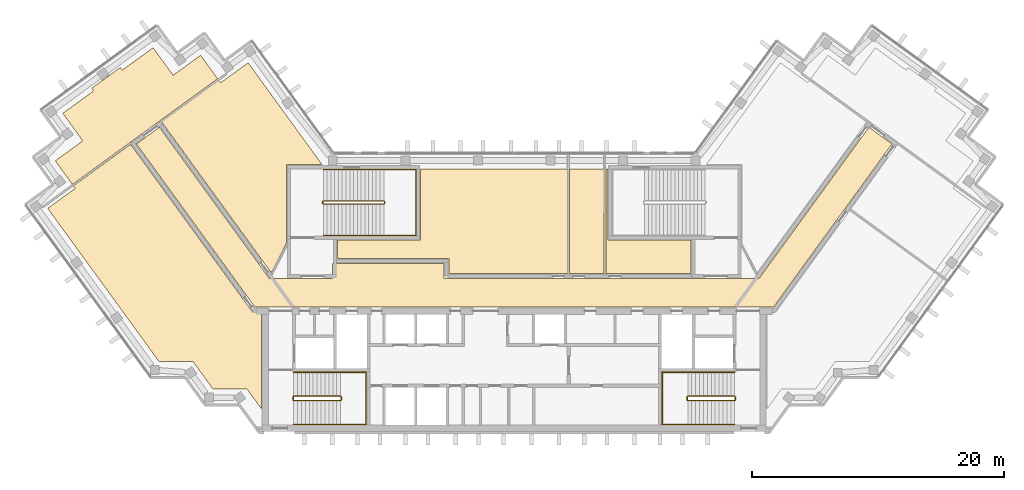
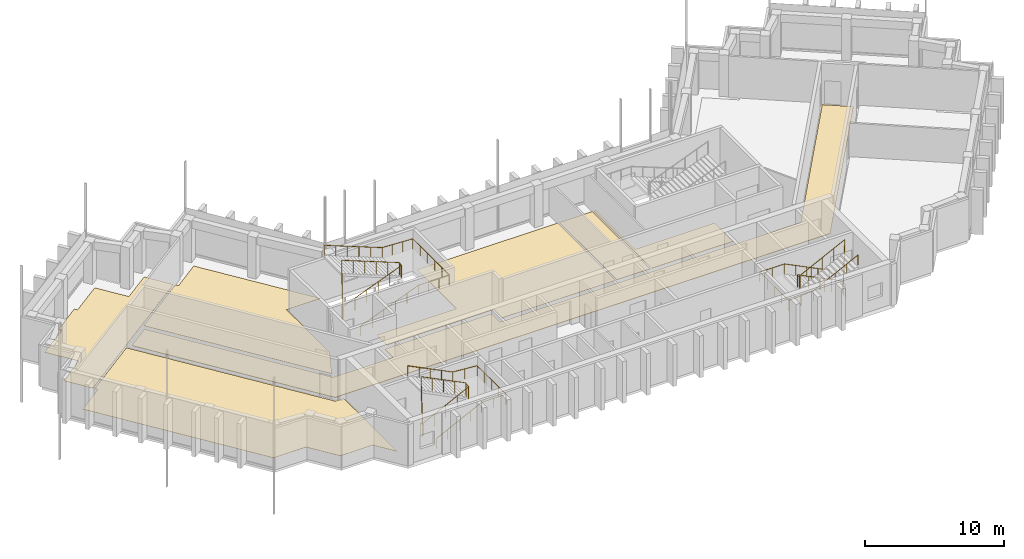
# One storey, part 12 of 13: 7 coverings, 6 railings.
"""IFC4 building model written with IfcOpenShell, lengths in metres."""

from ifc_helpers import new_model, si_unit, direction, frame, origin, origin_2d, place, context, subcontext, project, spatial, polyline, circle, outline, extrude, material, layer, layer_set, type_object, element, save


model = new_model("IFC4")

# Units and contexts
model_context = context("Model", 3, precision=1e-05, world=origin(), true_north=direction((0.0, 1.0)))
body_context = subcontext(model_context, "Body", "Model", "MODEL_VIEW")
ifc_project = project(units=[si_unit("LENGTHUNIT", "METRE"), si_unit("AREAUNIT", "SQUARE_METRE"), si_unit("VOLUMEUNIT", "CUBIC_METRE"), si_unit("PLANEANGLEUNIT", "RADIAN"), si_unit("MASSUNIT", "GRAM", prefix="KILO")], contexts=[model_context])

# Site, building, storey
site_placement = place(None, origin())
site = spatial("IfcSite", under=ifc_project, at=site_placement, CompositionType="ELEMENT")
building_placement = place(site_placement, origin())
building = spatial("IfcBuilding", under=site, at=building_placement, Name="Quipu Civic Tower", CompositionType="ELEMENT")
storey_placement = place(building_placement, frame((0.0, 0.0, 347.0)))
storey = spatial("IfcBuildingStorey", under=building, at=storey_placement, Name="L81", CompositionType="ELEMENT", Elevation=347.0)

# Coverings
ifc_material_1 = material(Name="Carpet tile on raised access floor")
ifc_layer_1 = layer(ifc_material_1, 0.02001953125)
ifc_layer_set_1 = layer_set([ifc_layer_1], Name="Carpet tile on raised access floor")
covering_type_1 = type_object("IfcCoveringType", Name="Carpet tile floor finish 20", PredefinedType="FLOORING", material=ifc_layer_set_1)
covering_1_placement = place(storey_placement, origin())
element("IfcCovering", 1, at=covering_1_placement, inside=storey, type_object=covering_type_1, Name="Carpet tile floor finish 20", PredefinedType="FLOORING", context=body_context, shape_type="SweptSolid", body=[
    extrude(outline(polyline([(-27.987060546875, 13.5791015625), (-23.447998046875, 16.876953125), (-23.299072265625, 16.676025390625), (-21.115966796875, 18.260986328125), (-15.238037109375, 10.169921875), (-18.070068359375, 10.1689453125), (-18.070068359375, 3.94189453125), (-19.27197265625, 1.583984375), (-27.987060546875, 13.5791015625)])), origin(), (0.0, 0.0, 1.0), 0.02001953125),
])
covering_2_placement = place(storey_placement, origin())
element("IfcCovering", 2, at=covering_2_placement, inside=storey, type_object=covering_type_1, Name="Carpet tile floor finish 20", PredefinedType="FLOORING", context=body_context, shape_type="SweptSolid", body=[
    extrude(outline(polyline([(-36.425048828125, 10.47705078125), (-34.240966796875, 12.06396484375), (-35.826904296875, 14.248046875), (-33.3701171875, 16.032958984375), (-33.52197265625, 16.2451171875), (-31.27099609375, 17.8798828125), (-31.116943359375, 17.6708984375), (-28.658935546875, 19.455078125), (-27.073974609375, 17.27197265625), (-24.888916015625, 18.85791015625), (-23.531005859375, 16.989013671875), (-35.068115234375, 8.60791015625), (-36.425048828125, 10.47705078125)])), origin(), (0.0, 0.0, 1.0), 0.02001953125),
])
covering_3_placement = place(storey_placement, origin())
element("IfcCovering", 3, at=covering_3_placement, inside=storey, type_object=covering_type_1, Name="Carpet tile floor finish 20", PredefinedType="FLOORING", context=body_context, shape_type="SweptSolid", body=[
    extrude(outline(polyline([(-14.030029296875, 2.719970703125), (-14.030029296875, 4.179931640625), (-7.430908203125, 4.180908203125), (-7.429931640625, 9.830078125), (4.2490234375, 9.830078125), (4.2490234375, 1.52001953125), (-5.179931640625, 1.52001953125), (-5.181884765625, 2.719970703125), (-14.030029296875, 2.719970703125)])), origin(), (0.0, 0.0, 1.0), 0.02001953125),
])
covering_4_placement = place(storey_placement, origin())
element("IfcCovering", 4, at=covering_4_placement, inside=storey, type_object=covering_type_1, Name="Carpet tile floor finish 20", PredefinedType="FLOORING", context=body_context, shape_type="SweptSolid", body=[
    extrude(outline(polyline([(-37.02197265625, 6.7060546875), (-34.839111328125, 8.291015625), (-34.985107421875, 8.493896484375), (-30.446044921875, 11.7919921875), (-20.77490234375, -1.51904296875), (-20.070068359375, -1.52001953125), (-20.070068359375, -9.195068359375), (-21.196044921875, -7.64599609375), (-23.89501953125, -7.64599609375), (-25.48193359375, -5.4619140625), (-28.181884765625, -5.4609375), (-37.02197265625, 6.7060546875)])), origin(), (0.0, 0.0, 1.0), 0.02001953125),
])
ifc_material_2 = material(Name="Ceramic floor tile")
ifc_layer_2 = layer(ifc_material_2, 0.030029296875)
ifc_layer_set_2 = layer_set([ifc_layer_2], Name="Ceramic floor tile")
covering_type_2 = type_object("IfcCoveringType", Name="Ceramic tile floor finish 30", PredefinedType="FLOORING", material=ifc_layer_set_2)
covering_5_placement = place(storey_placement, origin())
element("IfcCovering", 5, at=covering_5_placement, inside=storey, type_object=covering_type_2, Name="Ceramic tile floor finish 30", PredefinedType="FLOORING", context=body_context, shape_type="SweptSolid", body=[
    extrude(outline(polyline([(4.388916015625, 1.52001953125), (4.388916015625, 9.830078125), (7.1279296875, 9.830078125), (7.1279296875, 1.52001953125), (4.388916015625, 1.52001953125)])), origin(), (0.0, 0.0, 1.0), 0.030029296875),
])
covering_6_placement = place(storey_placement, origin())
element("IfcCovering", 6, at=covering_6_placement, inside=storey, type_object=covering_type_2, Name="Ceramic tile floor finish 30", PredefinedType="FLOORING", context=body_context, shape_type="SweptSolid", body=[
    extrude(outline(polyline([(7.26806640625, 1.52001953125), (7.26806640625, 9.830078125), (7.429931640625, 9.830078125), (7.429931640625, 4.180908203125), (14.030029296875, 4.179931640625), (14.030029296875, 1.52001953125), (7.26806640625, 1.52001953125)])), origin(), (0.0, 0.0, 1.0), 0.030029296875),
])

# Railings
ifc_material_3 = material(Name="Stainless steel", Category="steel")
railing_type_1 = type_object("IfcRailingType", Name="Stair guard 1100", PredefinedType="GUARDRAIL", material=ifc_material_3)
railing_1_placement = place(storey_placement, frame((-17.5, -8.550048828125, 0.15380859375)))
element("IfcRailing", 7, at=railing_1_placement, inside=storey, type_object=railing_type_1, Name="Stair 1 guard", PredefinedType="GUARDRAIL", context=body_context, shape_type="SweptSolid", body=[
    extrude(circle(Radius=0.02392578125, at=origin_2d()), frame((0.0, 0.0, 1.076171875), z_axis=(0.895751851347, 0.0, 0.444554407028), x_axis=(0.0, 1.0, 0.0)), (0.0, 0.0, 1.0), 4.15283203125),
    extrude(circle(Radius=0.02392578125, at=origin_2d()), frame((3.719970703125, 0.0, 2.92236328125), z_axis=(0.707106781187, 0.707106781187, 0.0), x_axis=(-0.707106781187, 0.707106781187, 0.0)), (0.0, 0.0, 1.0), 0.07080078125),
    extrude(circle(Radius=0.02392578125, at=origin_2d()), frame((3.77001953125, 0.050048828125, 2.92236328125), z_axis=(0.0, 1.0, 0.0), x_axis=(-1.0, 0.0, 0.0)), (0.0, 0.0, 1.0), 0.25),
    extrude(circle(Radius=0.02392578125, at=origin_2d()), frame((3.77001953125, 0.300048828125, 2.92236328125), z_axis=(-0.295599637079, 0.295599637079, 0.908428152975), x_axis=(-0.707106781187, -0.707106781187, 0.0)), (0.0, 0.0, 1.0), 0.16943359375),
    extrude(circle(Radius=0.02392578125, at=origin_2d()), frame((3.719970703125, 0.35009765625, 3.076171875), z_axis=(-0.895751851347, 0.0, 0.444554407028), x_axis=(0.0, -1.0, 0.0)), (0.0, 0.0, 1.0), 4.15283203125),
    extrude(circle(Radius=0.02392578125, at=origin_2d()), frame((0.0, 0.35009765625, 4.92236328125), z_axis=(-0.012476181752, -0.074796231092, -0.997120789425), x_axis=(0.986372223864, -0.164529134168, 0.0)), (0.0, 0.0, 1.0), 4.011474609375),
    extrude(circle(Radius=0.02392578125, at=origin_2d()), frame((-0.050048828125, 0.050048828125, 0.92236328125), z_axis=(0.0, 1.0, 0.0), x_axis=(-1.0, 0.0, 0.0)), (0.0, 0.0, 1.0), 0.25),
    extrude(circle(Radius=0.02099609375, at=origin_2d()), origin(), (0.0, 0.0, 1.0), 1.052001953125),
    extrude(circle(Radius=0.02099609375, at=origin_2d()), frame((0.929931640625, 0.0, 0.46142578125)), (0.0, 0.0, 1.0), 1.052001953125),
    extrude(circle(Radius=0.02099609375, at=origin_2d()), frame((1.85986328125, 0.0, 0.923095703125)), (0.0, 0.0, 1.0), 1.052001953125),
    extrude(circle(Radius=0.02099609375, at=origin_2d()), frame((2.7900390625, 0.0, 1.384765625)), (0.0, 0.0, 1.0), 1.052001953125),
    extrude(circle(Radius=0.02099609375, at=origin_2d()), frame((3.719970703125, 0.0, 1.84619140625)), (0.0, 0.0, 1.0), 1.052001953125),
    extrude(circle(Radius=0.02099609375, at=origin_2d()), frame((3.77001953125, 0.050048828125, 1.84619140625)), (0.0, 0.0, 1.0), 1.052001953125),
    extrude(circle(Radius=0.02099609375, at=origin_2d()), frame((3.77001953125, 0.300048828125, 1.84619140625)), (0.0, 0.0, 1.0), 1.052001953125),
    extrude(circle(Radius=0.02099609375, at=origin_2d()), frame((3.719970703125, 0.35009765625, 2.0)), (0.0, 0.0, 1.0), 1.052001953125),
    extrude(circle(Radius=0.02099609375, at=origin_2d()), frame((2.7900390625, 0.35009765625, 2.46142578125)), (0.0, 0.0, 1.0), 1.052001953125),
    extrude(circle(Radius=0.02099609375, at=origin_2d()), frame((1.85986328125, 0.35009765625, 2.923095703125)), (0.0, 0.0, 1.0), 1.052001953125),
    extrude(circle(Radius=0.02099609375, at=origin_2d()), frame((0.929931640625, 0.35009765625, 3.384765625)), (0.0, 0.0, 1.0), 1.052001953125),
    extrude(circle(Radius=0.02099609375, at=origin_2d()), frame((0.0, 0.35009765625, 3.84619140625)), (0.0, 0.0, 1.0), 1.052001953125),
    extrude(circle(Radius=0.02099609375, at=origin_2d()), frame((-0.012451171875, 0.275146484375, 2.84619140625)), (0.0, 0.0, 1.0), 1.052001953125),
    extrude(circle(Radius=0.02099609375, at=origin_2d()), frame((-0.02490234375, 0.2001953125, 1.84619140625)), (0.0, 0.0, 1.0), 1.052001953125),
    extrude(circle(Radius=0.02099609375, at=origin_2d()), frame((-0.03759765625, 0.125, 0.84619140625)), (0.0, 0.0, 1.0), 1.052001953125),
    extrude(circle(Radius=0.02099609375, at=origin_2d()), frame((-0.050048828125, 0.050048828125, -0.15380859375)), (0.0, 0.0, 1.0), 1.052001953125),
    extrude(circle(Radius=0.02099609375, at=origin_2d()), frame((-0.050048828125, 0.300048828125, -0.15380859375)), (0.0, 0.0, 1.0), 1.052001953125),
])
railing_2_placement = place(storey_placement, frame((17.5, -8.199951171875, 0.15380859375)))
element("IfcRailing", 8, at=railing_2_placement, inside=storey, type_object=railing_type_1, Name="Stair 2 guard", PredefinedType="GUARDRAIL", context=body_context, shape_type="SweptSolid", body=[
    extrude(circle(Radius=0.02392578125, at=origin_2d()), frame((0.0, 0.0, 1.076171875), z_axis=(-0.895751851347, 0.0, 0.444554407028), x_axis=(0.0, -1.0, 0.0)), (0.0, 0.0, 1.0), 4.15283203125),
    extrude(circle(Radius=0.02392578125, at=origin_2d()), frame((-3.719970703125, 0.0, 2.92236328125), z_axis=(-0.707106781187, -0.707106781187, 0.0), x_axis=(0.707106781187, -0.707106781187, 0.0)), (0.0, 0.0, 1.0), 0.07080078125),
    extrude(circle(Radius=0.02392578125, at=origin_2d()), frame((-3.77001953125, -0.050048828125, 2.92236328125), z_axis=(0.0, -1.0, 0.0), x_axis=(1.0, 0.0, 0.0)), (0.0, 0.0, 1.0), 0.25),
    extrude(circle(Radius=0.02392578125, at=origin_2d()), frame((-3.77001953125, -0.300048828125, 2.92236328125), z_axis=(0.295599637079, -0.295599637079, 0.908428152975), x_axis=(0.707106781187, 0.707106781187, 0.0)), (0.0, 0.0, 1.0), 0.16943359375),
    extrude(circle(Radius=0.02392578125, at=origin_2d()), frame((-3.719970703125, -0.35009765625, 3.076171875), z_axis=(0.895751851347, 0.0, 0.444554407028), x_axis=(0.0, 1.0, 0.0)), (0.0, 0.0, 1.0), 4.15283203125),
    extrude(circle(Radius=0.02392578125, at=origin_2d()), frame((0.0, -0.35009765625, 4.92236328125), z_axis=(0.012476181752, 0.074796231092, -0.997120789425), x_axis=(-0.986372223864, 0.164529134168, 0.0)), (0.0, 0.0, 1.0), 4.011474609375),
    extrude(circle(Radius=0.02392578125, at=origin_2d()), frame((0.050048828125, -0.050048828125, 0.92236328125), z_axis=(0.0, -1.0, 0.0), x_axis=(1.0, 0.0, 0.0)), (0.0, 0.0, 1.0), 0.25),
    extrude(circle(Radius=0.02099609375, at=origin_2d()), origin(), (0.0, 0.0, 1.0), 1.052001953125),
    extrude(circle(Radius=0.02099609375, at=origin_2d()), frame((-0.929931640625, 0.0, 0.46142578125)), (0.0, 0.0, 1.0), 1.052001953125),
    extrude(circle(Radius=0.02099609375, at=origin_2d()), frame((-1.85986328125, 0.0, 0.923095703125)), (0.0, 0.0, 1.0), 1.052001953125),
    extrude(circle(Radius=0.02099609375, at=origin_2d()), frame((-2.7900390625, 0.0, 1.384765625)), (0.0, 0.0, 1.0), 1.052001953125),
    extrude(circle(Radius=0.02099609375, at=origin_2d()), frame((-3.719970703125, 0.0, 1.84619140625)), (0.0, 0.0, 1.0), 1.052001953125),
    extrude(circle(Radius=0.02099609375, at=origin_2d()), frame((-3.77001953125, -0.050048828125, 1.84619140625)), (0.0, 0.0, 1.0), 1.052001953125),
    extrude(circle(Radius=0.02099609375, at=origin_2d()), frame((-3.77001953125, -0.300048828125, 1.84619140625)), (0.0, 0.0, 1.0), 1.052001953125),
    extrude(circle(Radius=0.02099609375, at=origin_2d()), frame((-3.719970703125, -0.35009765625, 2.0)), (0.0, 0.0, 1.0), 1.052001953125),
    extrude(circle(Radius=0.02099609375, at=origin_2d()), frame((-2.7900390625, -0.35009765625, 2.46142578125)), (0.0, 0.0, 1.0), 1.052001953125),
    extrude(circle(Radius=0.02099609375, at=origin_2d()), frame((-1.85986328125, -0.35009765625, 2.923095703125)), (0.0, 0.0, 1.0), 1.052001953125),
    extrude(circle(Radius=0.02099609375, at=origin_2d()), frame((-0.929931640625, -0.35009765625, 3.384765625)), (0.0, 0.0, 1.0), 1.052001953125),
    extrude(circle(Radius=0.02099609375, at=origin_2d()), frame((0.0, -0.35009765625, 3.84619140625)), (0.0, 0.0, 1.0), 1.052001953125),
    extrude(circle(Radius=0.02099609375, at=origin_2d()), frame((0.012451171875, -0.275146484375, 2.84619140625)), (0.0, 0.0, 1.0), 1.052001953125),
    extrude(circle(Radius=0.02099609375, at=origin_2d()), frame((0.02490234375, -0.2001953125, 1.84619140625)), (0.0, 0.0, 1.0), 1.052001953125),
    extrude(circle(Radius=0.02099609375, at=origin_2d()), frame((0.03759765625, -0.125, 0.84619140625)), (0.0, 0.0, 1.0), 1.052001953125),
    extrude(circle(Radius=0.02099609375, at=origin_2d()), frame((0.050048828125, -0.050048828125, -0.15380859375)), (0.0, 0.0, 1.0), 1.052001953125),
    extrude(circle(Radius=0.02099609375, at=origin_2d()), frame((0.050048828125, -0.300048828125, -0.15380859375)), (0.0, 0.0, 1.0), 1.052001953125),
])
railing_3_placement = place(storey_placement, frame((-15.14990234375, 7.050048828125, 0.11767578125)))
element("IfcRailing", 9, at=railing_3_placement, inside=storey, type_object=railing_type_1, Name="Stair 3 guard", PredefinedType="GUARDRAIL", context=body_context, shape_type="SweptSolid", body=[
    extrude(circle(Radius=0.02392578125, at=origin_2d()), frame((0.0, 0.0, 1.076171875), z_axis=(0.930970042603, 0.0, 0.365095576219), x_axis=(0.0, 1.0, 0.0)), (0.0, 0.0, 1.0), 5.15576171875),
    extrude(circle(Radius=0.02392578125, at=origin_2d()), frame((4.7998046875, 0.0, 2.95849609375), z_axis=(0.707106781187, 0.707106781187, 0.0), x_axis=(-0.707106781187, 0.707106781187, 0.0)), (0.0, 0.0, 1.0), 0.07080078125),
    extrude(circle(Radius=0.02392578125, at=origin_2d()), frame((4.849853515625, 0.050048828125, 2.95849609375), z_axis=(0.0, 1.0, 0.0), x_axis=(-1.0, 0.0, 0.0)), (0.0, 0.0, 1.0), 0.14990234375),
    extrude(circle(Radius=0.02392578125, at=origin_2d()), frame((4.849853515625, 0.199951171875, 2.95849609375), z_axis=(-0.364463019033, 0.364463019033, 0.856932561824), x_axis=(-0.707106781187, -0.707106781187, 0.0)), (0.0, 0.0, 1.0), 0.13720703125),
    extrude(circle(Radius=0.02392578125, at=origin_2d()), frame((4.7998046875, 0.25, 3.076171875), z_axis=(-0.930970042603, 0.0, 0.365095576219), x_axis=(0.0, -1.0, 0.0)), (0.0, 0.0, 1.0), 5.15576171875),
    extrude(circle(Radius=0.02392578125, at=origin_2d()), frame((0.0, 0.25, 4.95849609375), z_axis=(-0.012495627992, -0.049921557685, -0.998674970829), x_axis=(0.970072785993, -0.242814311512, 0.0)), (0.0, 0.0, 1.0), 4.00537109375),
    extrude(circle(Radius=0.02392578125, at=origin_2d()), frame((-0.050048828125, 0.050048828125, 0.95849609375), z_axis=(0.0, 1.0, 0.0), x_axis=(-1.0, 0.0, 0.0)), (0.0, 0.0, 1.0), 0.14990234375),
    extrude(circle(Radius=0.02099609375, at=origin_2d()), origin(), (0.0, 0.0, 1.0), 1.052001953125),
    extrude(circle(Radius=0.02099609375, at=origin_2d()), frame((0.9599609375, 0.0, 0.37646484375)), (0.0, 0.0, 1.0), 1.052001953125),
    extrude(circle(Radius=0.02099609375, at=origin_2d()), frame((1.919921875, 0.0, 0.7529296875)), (0.0, 0.0, 1.0), 1.052001953125),
    extrude(circle(Radius=0.02099609375, at=origin_2d()), frame((2.8798828125, 0.0, 1.12939453125)), (0.0, 0.0, 1.0), 1.052001953125),
    extrude(circle(Radius=0.02099609375, at=origin_2d()), frame((3.83984375, 0.0, 1.505859375)), (0.0, 0.0, 1.0), 1.052001953125),
    extrude(circle(Radius=0.02099609375, at=origin_2d()), frame((4.7998046875, 0.0, 1.88232421875)), (0.0, 0.0, 1.0), 1.052001953125),
    extrude(circle(Radius=0.02099609375, at=origin_2d()), frame((4.849853515625, 0.050048828125, 1.88232421875)), (0.0, 0.0, 1.0), 1.052001953125),
    extrude(circle(Radius=0.02099609375, at=origin_2d()), frame((4.849853515625, 0.199951171875, 1.88232421875)), (0.0, 0.0, 1.0), 1.052001953125),
    extrude(circle(Radius=0.02099609375, at=origin_2d()), frame((4.7998046875, 0.25, 2.0)), (0.0, 0.0, 1.0), 1.052001953125),
    extrude(circle(Radius=0.02099609375, at=origin_2d()), frame((3.83984375, 0.25, 2.37646484375)), (0.0, 0.0, 1.0), 1.052001953125),
    extrude(circle(Radius=0.02099609375, at=origin_2d()), frame((2.8798828125, 0.25, 2.7529296875)), (0.0, 0.0, 1.0), 1.052001953125),
    extrude(circle(Radius=0.02099609375, at=origin_2d()), frame((1.919921875, 0.25, 3.12939453125)), (0.0, 0.0, 1.0), 1.052001953125),
    extrude(circle(Radius=0.02099609375, at=origin_2d()), frame((0.9599609375, 0.25, 3.505859375)), (0.0, 0.0, 1.0), 1.052001953125),
    extrude(circle(Radius=0.02099609375, at=origin_2d()), frame((0.0, 0.25, 3.88232421875)), (0.0, 0.0, 1.0), 1.052001953125),
    extrude(circle(Radius=0.02099609375, at=origin_2d()), frame((-0.012451171875, 0.199951171875, 2.88232421875)), (0.0, 0.0, 1.0), 1.052001953125),
    extrude(circle(Radius=0.02099609375, at=origin_2d()), frame((-0.02490234375, 0.14990234375, 1.88232421875)), (0.0, 0.0, 1.0), 1.052001953125),
    extrude(circle(Radius=0.02099609375, at=origin_2d()), frame((-0.03759765625, 0.10009765625, 0.88232421875)), (0.0, 0.0, 1.0), 1.052001953125),
    extrude(circle(Radius=0.02099609375, at=origin_2d()), frame((-0.050048828125, 0.050048828125, -0.11767578125)), (0.0, 0.0, 1.0), 1.052001953125),
    extrude(circle(Radius=0.02099609375, at=origin_2d()), frame((-0.050048828125, 0.199951171875, -0.11767578125)), (0.0, 0.0, 1.0), 1.052001953125),
])
ifc_material_4 = material(Name="Stainless steel", Category="steel")
railing_type_2 = type_object("IfcRailingType", Name="Stair handrail", PredefinedType="HANDRAIL", material=ifc_material_4)
railing_4_placement = place(storey_placement, frame((-17.5, -10.449951171875, 0.15380859375)))
element("IfcRailing", 10, at=railing_4_placement, inside=storey, type_object=railing_type_2, Name="Stair 1 handrail", PredefinedType="HANDRAIL", context=body_context, shape_type="SweptSolid", body=[
    extrude(circle(Radius=0.02392578125, at=origin_2d()), frame((0.0, 0.0, 0.8759765625), z_axis=(0.895751851347, 0.0, 0.444554407028), x_axis=(0.0, 1.0, 0.0)), (0.0, 0.0, 1.0), 4.15283203125),
    extrude(circle(Radius=0.02392578125, at=origin_2d()), frame((3.719970703125, 0.0, 2.72216796875), z_axis=(1.0, 0.0, 0.0), x_axis=(0.0, 1.0, 0.0)), (0.0, 0.0, 1.0), 2.030029296875),
    extrude(circle(Radius=0.02392578125, at=origin_2d()), frame((5.75, 0.0, 2.72216796875), z_axis=(0.0, 1.0, 0.0), x_axis=(-1.0, 0.0, 0.0)), (0.0, 0.0, 1.0), 4.14990234375),
    extrude(circle(Radius=0.02392578125, at=origin_2d()), frame((5.75, 4.14990234375, 2.72216796875), z_axis=(-0.997142003663, 0.0, 0.075550145798), x_axis=(0.0, -1.0, 0.0)), (0.0, 0.0, 1.0), 2.035888671875),
    extrude(circle(Radius=0.02392578125, at=origin_2d()), frame((3.719970703125, 4.14990234375, 2.8759765625), z_axis=(-0.895751851347, 0.0, 0.444554407028), x_axis=(0.0, -1.0, 0.0)), (0.0, 0.0, 1.0), 4.15283203125),
    extrude(circle(Radius=0.02099609375, at=origin_2d()), origin(), (0.0, 0.0, 1.0), 0.851806640625),
    extrude(circle(Radius=0.02099609375, at=origin_2d()), frame((0.929931640625, 0.0, 0.46142578125)), (0.0, 0.0, 1.0), 0.851806640625),
    extrude(circle(Radius=0.02099609375, at=origin_2d()), frame((1.85986328125, 0.0, 0.923095703125)), (0.0, 0.0, 1.0), 0.851806640625),
    extrude(circle(Radius=0.02099609375, at=origin_2d()), frame((2.7900390625, 0.0, 1.384765625)), (0.0, 0.0, 1.0), 0.851806640625),
    extrude(circle(Radius=0.02099609375, at=origin_2d()), frame((3.719970703125, 0.0, 1.84619140625)), (0.0, 0.0, 1.0), 0.851806640625),
    extrude(circle(Radius=0.02099609375, at=origin_2d()), frame((4.73486328125, 0.0, 1.84619140625)), (0.0, 0.0, 1.0), 0.851806640625),
    extrude(circle(Radius=0.02099609375, at=origin_2d()), frame((5.75, 0.0, 1.84619140625)), (0.0, 0.0, 1.0), 0.851806640625),
    extrude(circle(Radius=0.02099609375, at=origin_2d()), frame((5.75, 1.03759765625, 1.84619140625)), (0.0, 0.0, 1.0), 0.851806640625),
    extrude(circle(Radius=0.02099609375, at=origin_2d()), frame((5.75, 2.074951171875, 1.84619140625)), (0.0, 0.0, 1.0), 0.851806640625),
    extrude(circle(Radius=0.02099609375, at=origin_2d()), frame((5.75, 3.1123046875, 1.84619140625)), (0.0, 0.0, 1.0), 0.851806640625),
    extrude(circle(Radius=0.02099609375, at=origin_2d()), frame((5.75, 4.14990234375, 1.84619140625)), (0.0, 0.0, 1.0), 0.851806640625),
    extrude(circle(Radius=0.02099609375, at=origin_2d()), frame((4.73486328125, 4.14990234375, 1.923095703125)), (0.0, 0.0, 1.0), 0.851806640625),
    extrude(circle(Radius=0.02099609375, at=origin_2d()), frame((3.719970703125, 4.14990234375, 2.0)), (0.0, 0.0, 1.0), 0.851806640625),
    extrude(circle(Radius=0.02099609375, at=origin_2d()), frame((2.7900390625, 4.14990234375, 2.46142578125)), (0.0, 0.0, 1.0), 0.851806640625),
    extrude(circle(Radius=0.02099609375, at=origin_2d()), frame((1.85986328125, 4.14990234375, 2.923095703125)), (0.0, 0.0, 1.0), 0.851806640625),
    extrude(circle(Radius=0.02099609375, at=origin_2d()), frame((0.929931640625, 4.14990234375, 3.384765625)), (0.0, 0.0, 1.0), 0.851806640625),
    extrude(circle(Radius=0.02099609375, at=origin_2d()), frame((0.0, 4.14990234375, 3.84619140625)), (0.0, 0.0, 1.0), 0.851806640625),
])
railing_5_placement = place(storey_placement, frame((17.5, -6.300048828125, 0.15380859375)))
element("IfcRailing", 11, at=railing_5_placement, inside=storey, type_object=railing_type_2, Name="Stair 2 handrail", PredefinedType="HANDRAIL", context=body_context, shape_type="SweptSolid", body=[
    extrude(circle(Radius=0.02392578125, at=origin_2d()), frame((0.0, 0.0, 0.8759765625), z_axis=(-0.895751851347, 0.0, 0.444554407028), x_axis=(0.0, -1.0, 0.0)), (0.0, 0.0, 1.0), 4.15283203125),
    extrude(circle(Radius=0.02392578125, at=origin_2d()), frame((-3.719970703125, 0.0, 2.72216796875), z_axis=(-1.0, 0.0, 0.0), x_axis=(0.0, -1.0, 0.0)), (0.0, 0.0, 1.0), 2.030029296875),
    extrude(circle(Radius=0.02392578125, at=origin_2d()), frame((-5.75, 0.0, 2.72216796875), z_axis=(0.0, -1.0, 0.0), x_axis=(1.0, 0.0, 0.0)), (0.0, 0.0, 1.0), 4.14990234375),
    extrude(circle(Radius=0.02392578125, at=origin_2d()), frame((-5.75, -4.14990234375, 2.72216796875), z_axis=(0.997142003663, 0.0, 0.075550145798), x_axis=(0.0, 1.0, 0.0)), (0.0, 0.0, 1.0), 2.035888671875),
    extrude(circle(Radius=0.02392578125, at=origin_2d()), frame((-3.719970703125, -4.14990234375, 2.8759765625), z_axis=(0.895751851347, 0.0, 0.444554407028), x_axis=(0.0, 1.0, 0.0)), (0.0, 0.0, 1.0), 4.15283203125),
    extrude(circle(Radius=0.02099609375, at=origin_2d()), origin(), (0.0, 0.0, 1.0), 0.851806640625),
    extrude(circle(Radius=0.02099609375, at=origin_2d()), frame((-0.929931640625, 0.0, 0.46142578125)), (0.0, 0.0, 1.0), 0.851806640625),
    extrude(circle(Radius=0.02099609375, at=origin_2d()), frame((-1.85986328125, 0.0, 0.923095703125)), (0.0, 0.0, 1.0), 0.851806640625),
    extrude(circle(Radius=0.02099609375, at=origin_2d()), frame((-2.7900390625, 0.0, 1.384765625)), (0.0, 0.0, 1.0), 0.851806640625),
    extrude(circle(Radius=0.02099609375, at=origin_2d()), frame((-3.719970703125, 0.0, 1.84619140625)), (0.0, 0.0, 1.0), 0.851806640625),
    extrude(circle(Radius=0.02099609375, at=origin_2d()), frame((-4.73486328125, 0.0, 1.84619140625)), (0.0, 0.0, 1.0), 0.851806640625),
    extrude(circle(Radius=0.02099609375, at=origin_2d()), frame((-5.75, 0.0, 1.84619140625)), (0.0, 0.0, 1.0), 0.851806640625),
    extrude(circle(Radius=0.02099609375, at=origin_2d()), frame((-5.75, -1.03759765625, 1.84619140625)), (0.0, 0.0, 1.0), 0.851806640625),
    extrude(circle(Radius=0.02099609375, at=origin_2d()), frame((-5.75, -2.074951171875, 1.84619140625)), (0.0, 0.0, 1.0), 0.851806640625),
    extrude(circle(Radius=0.02099609375, at=origin_2d()), frame((-5.75, -3.1123046875, 1.84619140625)), (0.0, 0.0, 1.0), 0.851806640625),
    extrude(circle(Radius=0.02099609375, at=origin_2d()), frame((-5.75, -4.14990234375, 1.84619140625)), (0.0, 0.0, 1.0), 0.851806640625),
    extrude(circle(Radius=0.02099609375, at=origin_2d()), frame((-4.73486328125, -4.14990234375, 1.923095703125)), (0.0, 0.0, 1.0), 0.851806640625),
    extrude(circle(Radius=0.02099609375, at=origin_2d()), frame((-3.719970703125, -4.14990234375, 2.0)), (0.0, 0.0, 1.0), 0.851806640625),
    extrude(circle(Radius=0.02099609375, at=origin_2d()), frame((-2.7900390625, -4.14990234375, 2.46142578125)), (0.0, 0.0, 1.0), 0.851806640625),
    extrude(circle(Radius=0.02099609375, at=origin_2d()), frame((-1.85986328125, -4.14990234375, 2.923095703125)), (0.0, 0.0, 1.0), 0.851806640625),
    extrude(circle(Radius=0.02099609375, at=origin_2d()), frame((-0.929931640625, -4.14990234375, 3.384765625)), (0.0, 0.0, 1.0), 0.851806640625),
    extrude(circle(Radius=0.02099609375, at=origin_2d()), frame((0.0, -4.14990234375, 3.84619140625)), (0.0, 0.0, 1.0), 0.851806640625),
])
railing_6_placement = place(storey_placement, frame((-15.14990234375, 4.550048828125, 0.11767578125)))
element("IfcRailing", 12, at=railing_6_placement, inside=storey, type_object=railing_type_2, Name="Stair 3 handrail", PredefinedType="HANDRAIL", context=body_context, shape_type="SweptSolid", body=[
    extrude(circle(Radius=0.02392578125, at=origin_2d()), frame((0.0, 0.0, 0.8759765625), z_axis=(0.930970042603, 0.0, 0.365095576219), x_axis=(0.0, 1.0, 0.0)), (0.0, 0.0, 1.0), 5.15576171875),
    extrude(circle(Radius=0.02392578125, at=origin_2d()), frame((4.7998046875, 0.0, 2.75830078125), z_axis=(1.0, 0.0, 0.0), x_axis=(0.0, 1.0, 0.0)), (0.0, 0.0, 1.0), 2.550048828125),
    extrude(circle(Radius=0.02392578125, at=origin_2d()), frame((7.349853515625, 0.0, 2.75830078125), z_axis=(0.0, 1.0, 0.0), x_axis=(-1.0, 0.0, 0.0)), (0.0, 0.0, 1.0), 5.25),
    extrude(circle(Radius=0.02392578125, at=origin_2d()), frame((7.349853515625, 5.25, 2.75830078125), z_axis=(-0.998936948642, 0.0, 0.04609742549), x_axis=(0.0, -1.0, 0.0)), (0.0, 0.0, 1.0), 2.552734375),
    extrude(circle(Radius=0.02392578125, at=origin_2d()), frame((4.7998046875, 5.25, 2.8759765625), z_axis=(-0.930970042603, 0.0, 0.365095576219), x_axis=(0.0, -1.0, 0.0)), (0.0, 0.0, 1.0), 5.15576171875),
    extrude(circle(Radius=0.02099609375, at=origin_2d()), origin(), (0.0, 0.0, 1.0), 0.851806640625),
    extrude(circle(Radius=0.02099609375, at=origin_2d()), frame((0.9599609375, 0.0, 0.37646484375)), (0.0, 0.0, 1.0), 0.851806640625),
    extrude(circle(Radius=0.02099609375, at=origin_2d()), frame((1.919921875, 0.0, 0.7529296875)), (0.0, 0.0, 1.0), 0.851806640625),
    extrude(circle(Radius=0.02099609375, at=origin_2d()), frame((2.8798828125, 0.0, 1.12939453125)), (0.0, 0.0, 1.0), 0.851806640625),
    extrude(circle(Radius=0.02099609375, at=origin_2d()), frame((3.83984375, 0.0, 1.505859375)), (0.0, 0.0, 1.0), 0.851806640625),
    extrude(circle(Radius=0.02099609375, at=origin_2d()), frame((4.7998046875, 0.0, 1.88232421875)), (0.0, 0.0, 1.0), 0.851806640625),
    extrude(circle(Radius=0.02099609375, at=origin_2d()), frame((5.64990234375, 0.0, 1.88232421875)), (0.0, 0.0, 1.0), 0.851806640625),
    extrude(circle(Radius=0.02099609375, at=origin_2d()), frame((6.499755859375, 0.0, 1.88232421875)), (0.0, 0.0, 1.0), 0.851806640625),
    extrude(circle(Radius=0.02099609375, at=origin_2d()), frame((7.349853515625, 0.0, 1.88232421875)), (0.0, 0.0, 1.0), 0.851806640625),
    extrude(circle(Radius=0.02099609375, at=origin_2d()), frame((7.349853515625, 1.050048828125, 1.88232421875)), (0.0, 0.0, 1.0), 0.851806640625),
    extrude(circle(Radius=0.02099609375, at=origin_2d()), frame((7.349853515625, 2.10009765625, 1.88232421875)), (0.0, 0.0, 1.0), 0.851806640625),
    extrude(circle(Radius=0.02099609375, at=origin_2d()), frame((7.349853515625, 3.14990234375, 1.88232421875)), (0.0, 0.0, 1.0), 0.851806640625),
    extrude(circle(Radius=0.02099609375, at=origin_2d()), frame((7.349853515625, 4.199951171875, 1.88232421875)), (0.0, 0.0, 1.0), 0.851806640625),
    extrude(circle(Radius=0.02099609375, at=origin_2d()), frame((7.349853515625, 5.25, 1.88232421875)), (0.0, 0.0, 1.0), 0.851806640625),
    extrude(circle(Radius=0.02099609375, at=origin_2d()), frame((6.499755859375, 5.25, 1.921630859375)), (0.0, 0.0, 1.0), 0.851806640625),
    extrude(circle(Radius=0.02099609375, at=origin_2d()), frame((5.64990234375, 5.25, 1.960693359375)), (0.0, 0.0, 1.0), 0.851806640625),
    extrude(circle(Radius=0.02099609375, at=origin_2d()), frame((4.7998046875, 5.25, 2.0)), (0.0, 0.0, 1.0), 0.851806640625),
    extrude(circle(Radius=0.02099609375, at=origin_2d()), frame((3.83984375, 5.25, 2.37646484375)), (0.0, 0.0, 1.0), 0.851806640625),
    extrude(circle(Radius=0.02099609375, at=origin_2d()), frame((2.8798828125, 5.25, 2.7529296875)), (0.0, 0.0, 1.0), 0.851806640625),
    extrude(circle(Radius=0.02099609375, at=origin_2d()), frame((1.919921875, 5.25, 3.12939453125)), (0.0, 0.0, 1.0), 0.851806640625),
    extrude(circle(Radius=0.02099609375, at=origin_2d()), frame((0.9599609375, 5.25, 3.505859375)), (0.0, 0.0, 1.0), 0.851806640625),
    extrude(circle(Radius=0.02099609375, at=origin_2d()), frame((0.0, 5.25, 3.88232421875)), (0.0, 0.0, 1.0), 0.851806640625),
])

# Covering
ifc_material_5 = material(Name="Terrazzo floor finish")
ifc_layer_3 = layer(ifc_material_5, 0.0400390625)
ifc_layer_set_3 = layer_set([ifc_layer_3], Name="Terrazzo floor finish")
covering_type_3 = type_object("IfcCoveringType", Name="Terrazzo floor finish 40", PredefinedType="FLOORING", material=ifc_layer_set_3)
covering_7_placement = place(storey_placement, origin())
element("IfcCovering", 13, at=covering_7_placement, inside=storey, type_object=covering_type_3, Name="Terrazzo floor finish 40", PredefinedType="FLOORING", context=body_context, shape_type="SweptSolid", body=[
    extrude(outline(polyline([(19.425048828125, 1.1298828125), (28.155029296875, 13.14697265625), (29.98291015625, 11.819091796875), (20.574951171875, -1.1298828125), (-20.574951171875, -1.1298828125), (-29.98291015625, 11.819091796875), (-28.155029296875, 13.14697265625), (-19.425048828125, 1.1298828125), (-14.429931640625, 1.1298828125), (-14.429931640625, 2.330078125), (-5.570068359375, 2.330078125), (-5.570068359375, 1.1298828125), (19.425048828125, 1.1298828125)])), origin(), (0.0, 0.0, 1.0), 0.0400390625),
])

save(model, "model.ifc")
